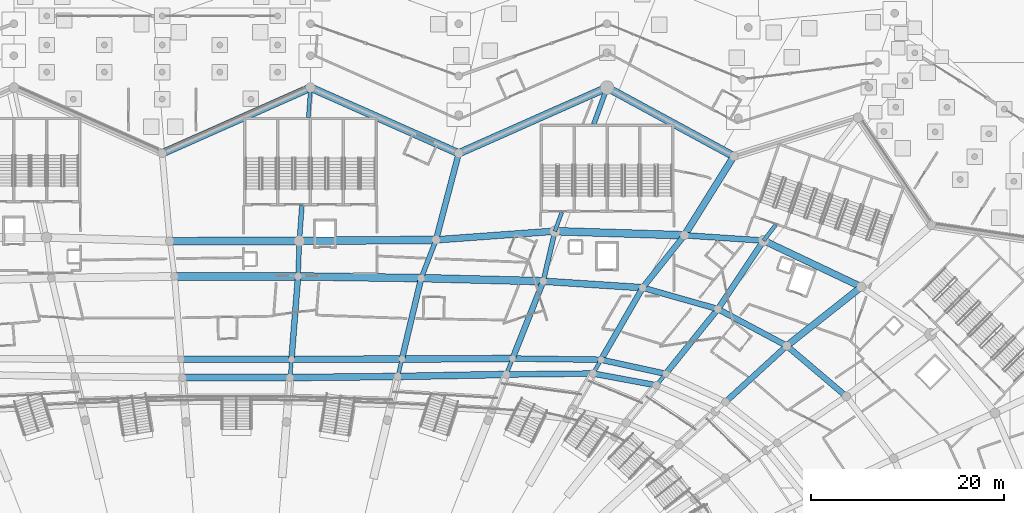
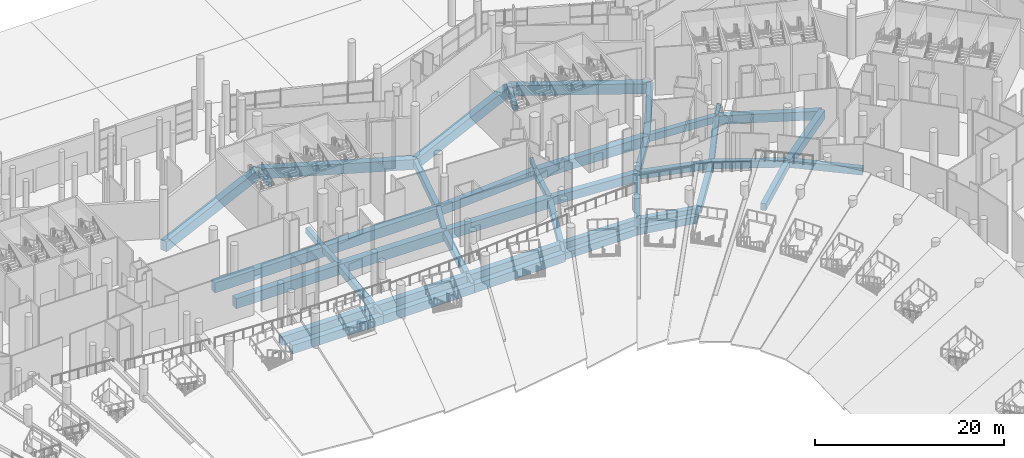
# One storey, part 61 of 255: 51 beams.
"""IFC4 building model written with IfcOpenShell, lengths in metres."""

from ifc_helpers import new_model, si_unit, direction, frame, origin, origin_2d, place, context, subcontext, project, spatial, rectangle, extrude, material, material_profile, profile_set, type_object, element, save


model = new_model("IFC4")

# Units and contexts
model_context = context("Model", 3, precision=1e-05, world=origin(), true_north=direction((0.0, 1.0)))
body_context = subcontext(model_context, "Body", "Model", "MODEL_VIEW")
ifc_project = project(units=[si_unit("LENGTHUNIT", "METRE"), si_unit("AREAUNIT", "SQUARE_METRE"), si_unit("VOLUMEUNIT", "CUBIC_METRE"), si_unit("PLANEANGLEUNIT", "RADIAN"), si_unit("MASSUNIT", "GRAM", prefix="KILO")], contexts=[model_context])

# Site, building, storey
site_placement = place(None, origin())
site = spatial("IfcSite", under=ifc_project, at=site_placement, CompositionType="ELEMENT")
building_placement = place(site_placement, origin())
building = spatial("IfcBuilding", under=site, at=building_placement, Name="Meseta Stadium", CompositionType="ELEMENT")
storey_placement = place(building_placement, origin())
storey = spatial("IfcBuildingStorey", under=building, at=storey_placement, Name="L00", CompositionType="ELEMENT", Elevation=0.0)

# Beams
ifc_material_1 = material(Name="Concrete C40/50", Category="concrete")
ifc_material_profile_1 = material_profile(ifc_material_1, rectangle(XDim=0.39990234375, YDim=0.60009765625, at=origin_2d()), Name="RC 400x600")
ifc_profile_set_1 = profile_set([ifc_material_profile_1], Name="Concrete C40/50")
beam_type_1 = type_object("IfcBeamType", Name="RC beam 400x600", PredefinedType="BEAM", material=ifc_profile_set_1)
beam_1_placement = place(storey_placement, frame((43.430419921875, 74.617431640625, -0.699951171875), z_axis=(0.628002290607, 0.778211489887, 0.0), x_axis=(-0.778211489887, 0.628002290607, 0.0)))
element("IfcBeam", 1, at=beam_1_placement, inside=storey, type_object=beam_type_1, Name="L00 radial beam frame 14 line C to D", PredefinedType="BEAM", context=body_context, shape_type="SweptSolid", body=[
    extrude(rectangle(XDim=0.39990234375, YDim=0.60009765625, at=origin_2d()), origin(), (0.0, 0.0, 1.0), 1.52783203125),
])
beam_2_placement = place(storey_placement, frame((54.523193359375, 89.579345703125, -0.699951171875), z_axis=(0.60958282029, 0.792722388486, 0.0), x_axis=(-0.792722388486, 0.60958282029, 0.0)))
element("IfcBeam", 2, at=beam_2_placement, inside=storey, type_object=beam_type_1, Name="L00 radial beam frame 14 line P to R", PredefinedType="BEAM", context=body_context, shape_type="SweptSolid", body=[
    extrude(rectangle(XDim=0.39990234375, YDim=0.60009765625, at=origin_2d()), origin(), (0.0, 0.0, 1.0), 2.029052734375),
])
beam_3_placement = place(storey_placement, frame((36.885986328125, 75.8330078125, -0.699951171875), z_axis=(0.500371262739, 0.865810949009, 0.0), x_axis=(-0.865810949009, 0.500371262739, 0.0)))
element("IfcBeam", 3, at=beam_3_placement, inside=storey, type_object=beam_type_1, Name="L00 radial beam frame 15 line C to D", PredefinedType="BEAM", context=body_context, shape_type="SweptSolid", body=[
    extrude(rectangle(XDim=0.39990234375, YDim=0.60009765625, at=origin_2d()), origin(), (0.0, 0.0, 1.0), 1.650146484375),
])
beam_4_placement = place(storey_placement, frame((27.910888671875, 75.735595703125, -0.699951171875), z_axis=(0.368824744702, 0.929498955188, 0.0), x_axis=(-0.929498955188, 0.368824744702, 0.0)))
element("IfcBeam", 4, at=beam_4_placement, inside=storey, type_object=beam_type_1, Name="L00 radial beam frame 16 line C to D", PredefinedType="BEAM", context=body_context, shape_type="SweptSolid", body=[
    extrude(rectangle(XDim=0.39990234375, YDim=0.60009765625, at=origin_2d()), origin(), (0.0, 0.0, 1.0), 1.772705078125),
])
beam_5_placement = place(storey_placement, frame((32.944091796875, 90.551025390625, -0.699951171875), z_axis=(0.341128443291, 0.940016694095, 0.0), x_axis=(-0.940016694095, 0.341128443291, 0.0)))
element("IfcBeam", 5, at=beam_5_placement, inside=storey, type_object=beam_type_1, Name="L00 radial beam frame 16 line P to R", PredefinedType="BEAM", context=body_context, shape_type="SweptSolid", body=[
    extrude(rectangle(XDim=0.39990234375, YDim=0.60009765625, at=origin_2d()), origin(), (0.0, 0.0, 1.0), 2.0732421875),
])
beam_6_placement = place(storey_placement, frame((16.697509765625, 75.529296875, -0.699951171875), z_axis=(0.231608653228, 0.97280904177, 0.0), x_axis=(-0.97280904177, 0.231608653228, 0.0)))
element("IfcBeam", 6, at=beam_6_placement, inside=storey, type_object=beam_type_1, Name="L00 radial beam frame 17 line C to D", PredefinedType="BEAM", context=body_context, shape_type="SweptSolid", body=[
    extrude(rectangle(XDim=0.39990234375, YDim=0.60009765625, at=origin_2d()), origin(), (0.0, 0.0, 1.0), 1.85302734375),
])
beam_7_placement = place(storey_placement, frame((5.556640625, 75.414794921875, -0.699951171875), z_axis=(0.079110203973, 0.996865876448, 0.0), x_axis=(-0.996865876448, 0.079110203973, 0.0)))
element("IfcBeam", 7, at=beam_7_placement, inside=storey, type_object=beam_type_1, Name="L00 radial beam frame 18 line C to D", PredefinedType="BEAM", context=body_context, shape_type="SweptSolid", body=[
    extrude(rectangle(XDim=0.39990234375, YDim=0.60009765625, at=origin_2d()), origin(), (0.0, 0.0, 1.0), 1.894775390625),
])
beam_8_placement = place(storey_placement, frame((7.44189453125, 102.300048828125, -0.699951171875), z_axis=(0.072346739974, 0.997379541205, 0.0), x_axis=(-0.997379541205, 0.072346739974, 0.0)))
element("IfcBeam", 8, at=beam_8_placement, inside=storey, type_object=beam_type_1, Name="L00 radial beam frame 18 line P to R", PredefinedType="BEAM", context=body_context, shape_type="SweptSolid", body=[
    extrude(rectangle(XDim=0.39990234375, YDim=0.60009765625, at=origin_2d()), origin(), (0.0, 0.0, 1.0), 3.10791015625),
])
ifc_material_2 = material(Name="Concrete C40/50", Category="concrete")
ifc_material_profile_2 = material_profile(ifc_material_2, rectangle(XDim=0.5, YDim=0.75, at=origin_2d()), Name="RC 500x750")
ifc_profile_set_2 = profile_set([ifc_material_profile_2], Name="Concrete C40/50")
beam_type_2 = type_object("IfcBeamType", Name="RC beam 500x750", PredefinedType="BEAM", material=ifc_profile_set_2)
beam_9_placement = place(storey_placement, frame((31.73681640625, 85.376708984375, -0.77490234375), z_axis=(0.22721799518, 0.973843921101, 0.0), x_axis=(-0.973843921101, 0.22721799518, 0.0)))
element("IfcBeam", 9, at=beam_9_placement, inside=storey, type_object=beam_type_2, Name="L00 radial beam frame 16 line E to P", PredefinedType="BEAM", context=body_context, shape_type="SweptSolid", body=[
    extrude(rectangle(XDim=0.5, YDim=0.75, at=origin_2d()), origin(), (0.0, 0.0, 1.0), 5.313232421875),
])
beam_10_placement = place(storey_placement, frame((36.9541015625, 101.60009765625, -0.77490234375), z_axis=(0.341175633366, 0.939999567658, 0.0), x_axis=(-0.939999567658, 0.341175633366, 0.0)))
element("IfcBeam", 10, at=beam_10_placement, inside=storey, type_object=beam_type_2, Name="L00 radial beam frame 16 line P to R", PredefinedType="BEAM", context=body_context, shape_type="SweptSolid", body=[
    extrude(rectangle(XDim=0.5, YDim=0.75, at=origin_2d()), origin(), (0.0, 0.0, 1.0), 4.042236328125),
])
beam_11_placement = place(storey_placement, frame((19.11865234375, 85.6982421875, -0.77490234375), z_axis=(0.360763299369, 0.932657408606, 0.0), x_axis=(-0.932657408606, 0.360763299369, 0.0)))
element("IfcBeam", 11, at=beam_11_placement, inside=storey, type_object=beam_type_2, Name="L00 radial beam frame 17 line E to P", PredefinedType="BEAM", context=body_context, shape_type="SweptSolid", body=[
    extrude(rectangle(XDim=0.5, YDim=0.75, at=origin_2d()), origin(), (0.0, 0.0, 1.0), 4.243896484375),
])
beam_12_placement = place(storey_placement, frame((6.386962890625, 85.876708984375, -0.77490234375), z_axis=(0.035437776234, 0.999371884743, 0.0), x_axis=(-0.999371884743, 0.035437776234, 0.0)))
element("IfcBeam", 12, at=beam_12_placement, inside=storey, type_object=beam_type_2, Name="L00 radial beam frame 18 line E to P", PredefinedType="BEAM", context=body_context, shape_type="SweptSolid", body=[
    extrude(rectangle(XDim=0.5, YDim=0.75, at=origin_2d()), origin(), (0.0, 0.0, 1.0), 3.671875),
])
beam_13_placement = place(storey_placement, frame((6.51708984375, 89.54638671875, -0.77490234375), z_axis=(0.072312695021, 0.997382010134, 0.0), x_axis=(-0.997382010134, 0.072312695021, 0.0)))
element("IfcBeam", 13, at=beam_13_placement, inside=storey, type_object=beam_type_2, Name="L00 radial beam frame 18 line P to R", PredefinedType="BEAM", context=body_context, shape_type="SweptSolid", body=[
    extrude(rectangle(XDim=0.5, YDim=0.75, at=origin_2d()), origin(), (0.0, 0.0, 1.0), 3.6630859375),
])
ifc_material_3 = material(Name="Concrete C40/50", Category="concrete")
ifc_material_profile_3 = material_profile(ifc_material_3, rectangle(XDim=0.60009765625, YDim=0.89990234375, at=origin_2d()), Name="RC 600x900")
ifc_profile_set_3 = profile_set([ifc_material_profile_3], Name="Concrete C40/50")
beam_type_3 = type_object("IfcBeamType", Name="RC beam 600x900", PredefinedType="BEAM", material=ifc_profile_set_3)
beam_14_placement = place(storey_placement, frame((63.068115234375, 73.469970703125, -0.85009765625), z_axis=(-0.762201166724, 0.647340236231, 0.0), x_axis=(-0.647340236231, -0.762201166724, 0.0)))
element("IfcBeam", 14, at=beam_14_placement, inside=storey, type_object=beam_type_3, Name="L00 ring beam frame 12 line E", PredefinedType="BEAM", context=body_context, shape_type="SweptSolid", body=[
    extrude(rectangle(XDim=0.60009765625, YDim=0.89990234375, at=origin_2d()), origin(), (0.0, 0.0, 1.0), 8.07275390625),
])
beam_15_placement = place(storey_placement, frame((56.9150390625, 78.69580078125, -0.85009765625), z_axis=(-0.882172948557, 0.47092556613, 0.0), x_axis=(-0.47092556613, -0.882172948557, 0.0)))
element("IfcBeam", 15, at=beam_15_placement, inside=storey, type_object=beam_type_3, Name="L00 ring beam frame 13 line E", PredefinedType="BEAM", context=body_context, shape_type="SweptSolid", body=[
    extrude(rectangle(XDim=0.60009765625, YDim=0.89990234375, at=origin_2d()), origin(), (0.0, 0.0, 1.0), 8.075439453125),
])
beam_16_placement = place(storey_placement, frame((43.430419921875, 74.617431640625, -0.85009765625), z_axis=(-0.983183844392, 0.182618531718, 0.0), x_axis=(-0.182618531718, -0.983183844392, 0.0)))
element("IfcBeam", 16, at=beam_16_placement, inside=storey, type_object=beam_type_3, Name="L00 ring beam frame 14 line C", PredefinedType="BEAM", context=body_context, shape_type="SweptSolid", body=[
    extrude(rectangle(XDim=0.60009765625, YDim=0.89990234375, at=origin_2d()), origin(), (0.0, 0.0, 1.0), 6.65625),
])
beam_17_placement = place(storey_placement, frame((44.389892578125, 75.806396484375, -0.85009765625), z_axis=(-0.977068887475, 0.212923434899, 0.0), x_axis=(-0.212923434899, -0.977068887475, 0.0)))
element("IfcBeam", 17, at=beam_17_placement, inside=storey, type_object=beam_type_3, Name="L00 ring beam frame 14 line D", PredefinedType="BEAM", context=body_context, shape_type="SweptSolid", body=[
    extrude(rectangle(XDim=0.60009765625, YDim=0.89990234375, at=origin_2d()), origin(), (0.0, 0.0, 1.0), 6.8349609375),
])
beam_18_placement = place(storey_placement, frame((49.791015625, 82.498779296875, -0.85009765625), z_axis=(-0.961951325549, 0.273220876351, 0.0), x_axis=(-0.273220876351, -0.961951325549, 0.0)))
element("IfcBeam", 18, at=beam_18_placement, inside=storey, type_object=beam_type_3, Name="L00 ring beam frame 14 line E", PredefinedType="BEAM", context=body_context, shape_type="SweptSolid", body=[
    extrude(rectangle(XDim=0.60009765625, YDim=0.89990234375, at=origin_2d()), origin(), (0.0, 0.0, 1.0), 8.083251953125),
])
beam_19_placement = place(storey_placement, frame((54.523193359375, 89.579345703125, -0.85009765625), z_axis=(-0.997778045289, 0.066625613231, 0.0), x_axis=(-0.066625613231, -0.997778045289, 0.0)))
element("IfcBeam", 19, at=beam_19_placement, inside=storey, type_object=beam_type_3, Name="L00 ring beam frame 14 line P", PredefinedType="BEAM", context=body_context, shape_type="SweptSolid", body=[
    extrude(rectangle(XDim=0.60009765625, YDim=0.89990234375, at=origin_2d()), origin(), (0.0, 0.0, 1.0), 8.208251953125),
])
beam_20_placement = place(storey_placement, frame((36.885986328125, 75.8330078125, -0.85009765625), z_axis=(-0.9999411049, -0.010852959601, 0.0), x_axis=(0.010852959601, -0.9999411049, 0.0)))
element("IfcBeam", 20, at=beam_20_placement, inside=storey, type_object=beam_type_3, Name="L00 ring beam frame 15 line C", PredefinedType="BEAM", context=body_context, shape_type="SweptSolid", body=[
    extrude(rectangle(XDim=0.60009765625, YDim=0.89990234375, at=origin_2d()), origin(), (0.0, 0.0, 1.0), 8.9755859375),
])
beam_21_placement = place(storey_placement, frame((37.711669921875, 77.26171875, -0.85009765625), z_axis=(-0.999911672388, 0.013290877405, 0.0), x_axis=(-0.013290877405, -0.999911672388, 0.0)))
element("IfcBeam", 21, at=beam_21_placement, inside=storey, type_object=beam_type_3, Name="L00 ring beam frame 15 line D", PredefinedType="BEAM", context=body_context, shape_type="SweptSolid", body=[
    extrude(rectangle(XDim=0.60009765625, YDim=0.89990234375, at=origin_2d()), origin(), (0.0, 0.0, 1.0), 9.147705078125),
])
for number, where, z_axis, x_axis, name in (
    (22, (50.571533203125, 72.888916015625, -0.85009765625), (0.737617073742, 0.675219262554, 0.0), (-0.675219262554, 0.737617073742, 0.0), "L00 radial beam frame 13 line D to E"),
    (23, (44.389892578125, 75.806396484375, -0.85009765625), (0.628037063111, 0.778183427836, 0.0), (-0.778183427836, 0.628037063111, 0.0), "L00 radial beam frame 14 line D to E"),
):
    element("IfcBeam", number, at=place(storey_placement, frame(where, z_axis=z_axis, x_axis=x_axis)), inside=storey, type_object=beam_type_3, Name=name, PredefinedType="BEAM", context=body_context, shape_type="SweptSolid", body=[
        extrude(rectangle(XDim=0.60009765625, YDim=0.89990234375, at=origin_2d()), origin(), (0.0, 0.0, 1.0), 8.60009765625),
    ])
beam_22_placement = place(storey_placement, frame((49.791015625, 82.498779296875, -0.85009765625), z_axis=(0.555659080942, 0.831410239152, 0.0), x_axis=(-0.831410239152, 0.555659080942, 0.0)))
element("IfcBeam", 24, at=beam_22_placement, inside=storey, type_object=beam_type_3, Name="L00 radial beam frame 14 line E to P", PredefinedType="BEAM", context=body_context, shape_type="SweptSolid", body=[
    extrude(rectangle(XDim=0.60009765625, YDim=0.89990234375, at=origin_2d()), origin(), (0.0, 0.0, 1.0), 8.516357421875),
])
beam_23_placement = place(storey_placement, frame((37.711669921875, 77.26171875, -0.85009765625), z_axis=(0.500437453612, 0.865772692467, 0.0), x_axis=(-0.865772692467, 0.500437453612, 0.0)))
element("IfcBeam", 25, at=beam_23_placement, inside=storey, type_object=beam_type_3, Name="L00 radial beam frame 15 line D to E", PredefinedType="BEAM", context=body_context, shape_type="SweptSolid", body=[
    extrude(rectangle(XDim=0.60009765625, YDim=0.89990234375, at=origin_2d()), origin(), (0.0, 0.0, 1.0), 8.599853515625),
])
beam_24_placement = place(storey_placement, frame((42.015380859375, 84.707275390625, -0.85009765625), z_axis=(0.623172725644, 0.782084237159, 0.0), x_axis=(-0.782084237159, 0.623172725644, 0.0)))
element("IfcBeam", 26, at=beam_24_placement, inside=storey, type_object=beam_type_3, Name="L00 radial beam frame 15 line E to P", PredefinedType="BEAM", context=body_context, shape_type="SweptSolid", body=[
    extrude(rectangle(XDim=0.60009765625, YDim=0.89990234375, at=origin_2d()), origin(), (0.0, 0.0, 1.0), 6.928955078125),
])
beam_25_placement = place(storey_placement, frame((28.564697265625, 77.38330078125, -0.85009765625), z_axis=(0.36885875695, 0.929485458424, 0.0), x_axis=(-0.929485458424, 0.36885875695, 0.0)))
element("IfcBeam", 27, at=beam_25_placement, inside=storey, type_object=beam_type_3, Name="L00 radial beam frame 16 line D to E", PredefinedType="BEAM", context=body_context, shape_type="SweptSolid", body=[
    extrude(rectangle(XDim=0.60009765625, YDim=0.89990234375, at=origin_2d()), origin(), (0.0, 0.0, 1.0), 8.599853515625),
])
beam_26_placement = place(storey_placement, frame((17.126708984375, 77.33203125, -0.85009765625), z_axis=(0.23161924801, 0.972806519279, 0.0), x_axis=(-0.972806519279, 0.23161924801, 0.0)))
element("IfcBeam", 28, at=beam_26_placement, inside=storey, type_object=beam_type_3, Name="L00 radial beam frame 17 line D to E", PredefinedType="BEAM", context=body_context, shape_type="SweptSolid", body=[
    extrude(rectangle(XDim=0.60009765625, YDim=0.89990234375, at=origin_2d()), origin(), (0.0, 0.0, 1.0), 8.60009765625),
])
beam_27_placement = place(storey_placement, frame((20.649658203125, 89.65625, -0.85009765625), z_axis=(0.254159308712, 0.967162367855, 0.0), x_axis=(-0.967162367855, 0.254159308712, 0.0)))
element("IfcBeam", 29, at=beam_27_placement, inside=storey, type_object=beam_type_3, Name="L00 radial beam frame 17 line P to R", PredefinedType="BEAM", context=body_context, shape_type="SweptSolid", body=[
    extrude(rectangle(XDim=0.60009765625, YDim=0.89990234375, at=origin_2d()), origin(), (0.0, 0.0, 1.0), 9.24755859375),
])
beam_28_placement = place(storey_placement, frame((5.70654296875, 77.3037109375, -0.85009765625), z_axis=(0.079118987749, 0.996865179338, 0.0), x_axis=(-0.996865179338, 0.079118987749, 0.0)))
element("IfcBeam", 30, at=beam_28_placement, inside=storey, type_object=beam_type_3, Name="L00 radial beam frame 18 line D to E", PredefinedType="BEAM", context=body_context, shape_type="SweptSolid", body=[
    extrude(rectangle(XDim=0.60009765625, YDim=0.89990234375, at=origin_2d()), origin(), (0.0, 0.0, 1.0), 8.599853515625),
])
ifc_material_4 = material(Name="Concrete C40/50", Category="concrete")
ifc_material_profile_4 = material_profile(ifc_material_4, rectangle(XDim=0.699951171875, YDim=1.10009765625, at=origin_2d()), Name="RC 700x1100")
ifc_profile_set_4 = profile_set([ifc_material_profile_4], Name="Concrete C40/50")
beam_type_4 = type_object("IfcBeamType", Name="RC beam 700x1100", PredefinedType="BEAM", material=ifc_profile_set_4)
beam_29_placement = place(storey_placement, frame((64.6220703125, 84.79248046875, -0.949951171875), z_axis=(-0.903627495473, 0.428319214402, 0.0), x_axis=(-0.428319214402, -0.903627495473, 0.0)))
element("IfcBeam", 31, at=beam_29_placement, inside=storey, type_object=beam_type_4, Name="L00 ring beam frame 13 line P", PredefinedType="BEAM", context=body_context, shape_type="SweptSolid", body=[
    extrude(rectangle(XDim=0.699951171875, YDim=1.10009765625, at=origin_2d()), origin(), (0.0, 0.0, 1.0), 11.176025390625),
])
beam_30_placement = place(storey_placement, frame((42.015380859375, 84.707275390625, -0.949951171875), z_axis=(-0.997885824096, 0.064991399959, 0.0), x_axis=(-0.064991399959, -0.997885824096, 0.0)))
element("IfcBeam", 32, at=beam_30_placement, inside=storey, type_object=beam_type_4, Name="L00 ring beam frame 15 line E", PredefinedType="BEAM", context=body_context, shape_type="SweptSolid", body=[
    extrude(rectangle(XDim=0.699951171875, YDim=1.10009765625, at=origin_2d()), origin(), (0.0, 0.0, 1.0), 10.30029296875),
])
beam_31_placement = place(storey_placement, frame((27.910888671875, 75.735595703125, -0.949951171875), z_axis=(-0.999830807814, -0.018394448783, 0.0), x_axis=(0.018394448783, -0.999830807814, 0.0)))
element("IfcBeam", 33, at=beam_31_placement, inside=storey, type_object=beam_type_4, Name="L00 ring beam frame 16 line C", PredefinedType="BEAM", context=body_context, shape_type="SweptSolid", body=[
    extrude(rectangle(XDim=0.699951171875, YDim=1.10009765625, at=origin_2d()), origin(), (0.0, 0.0, 1.0), 11.21533203125),
])
beam_32_placement = place(storey_placement, frame((28.564697265625, 77.38330078125, -0.949951171875), z_axis=(-0.999989954239, -0.004482345579, 0.0), x_axis=(0.004482345579, -0.999989954239, 0.0)))
element("IfcBeam", 34, at=beam_32_placement, inside=storey, type_object=beam_type_4, Name="L00 ring beam frame 16 line D", PredefinedType="BEAM", context=body_context, shape_type="SweptSolid", body=[
    extrude(rectangle(XDim=0.699951171875, YDim=1.10009765625, at=origin_2d()), origin(), (0.0, 0.0, 1.0), 11.43798828125),
])
beam_33_placement = place(storey_placement, frame((32.944091796875, 90.551025390625, -0.949951171875), z_axis=(-0.99736209032, -0.072586918881, 0.0), x_axis=(0.072586918881, -0.99736209032, 0.0)))
element("IfcBeam", 35, at=beam_33_placement, inside=storey, type_object=beam_type_4, Name="L00 ring beam frame 16 line P", PredefinedType="BEAM", context=body_context, shape_type="SweptSolid", body=[
    extrude(rectangle(XDim=0.699951171875, YDim=1.10009765625, at=origin_2d()), origin(), (0.0, 0.0, 1.0), 12.326904296875),
])
beam_34_placement = place(storey_placement, frame((16.697509765625, 75.529296875, -0.949951171875), z_axis=(-0.99994718914, -0.010277107175, 0.0), x_axis=(0.010277107175, -0.99994718914, 0.0)))
element("IfcBeam", 36, at=beam_34_placement, inside=storey, type_object=beam_type_4, Name="L00 ring beam frame 17 line C", PredefinedType="BEAM", context=body_context, shape_type="SweptSolid", body=[
    extrude(rectangle(XDim=0.699951171875, YDim=1.10009765625, at=origin_2d()), origin(), (0.0, 0.0, 1.0), 11.141357421875),
])
beam_35_placement = place(storey_placement, frame((17.126708984375, 77.33203125, -0.949951171875), z_axis=(-0.999996925183, -0.002479843584, 0.0), x_axis=(0.002479843584, -0.999996925183, 0.0)))
element("IfcBeam", 37, at=beam_35_placement, inside=storey, type_object=beam_type_4, Name="L00 ring beam frame 17 line D", PredefinedType="BEAM", context=body_context, shape_type="SweptSolid", body=[
    extrude(rectangle(XDim=0.699951171875, YDim=1.10009765625, at=origin_2d()), origin(), (0.0, 0.0, 1.0), 11.420166015625),
])
beam_36_placement = place(storey_placement, frame((5.556640625, 75.414794921875, -0.949951171875), z_axis=(-1.0, 0.0, 0.0), x_axis=(0.0, -1.0, 0.0)))
element("IfcBeam", 38, at=beam_36_placement, inside=storey, type_object=beam_type_4, Name="L00 ring beam frame 18 line C", PredefinedType="BEAM", context=body_context, shape_type="SweptSolid", body=[
    extrude(rectangle(XDim=0.699951171875, YDim=1.10009765625, at=origin_2d()), origin(), (0.0, 0.0, 1.0), 11.11328125),
])
beam_37_placement = place(storey_placement, frame((5.70654296875, 77.3037109375, -0.949951171875), z_axis=(-1.0, 0.0, 0.0), x_axis=(0.0, -1.0, 0.0)))
element("IfcBeam", 39, at=beam_37_placement, inside=storey, type_object=beam_type_4, Name="L00 ring beam frame 18 line D", PredefinedType="BEAM", context=body_context, shape_type="SweptSolid", body=[
    extrude(rectangle(XDim=0.699951171875, YDim=1.10009765625, at=origin_2d()), origin(), (0.0, 0.0, 1.0), 11.4130859375),
])
beam_38_placement = place(storey_placement, frame((56.9150390625, 78.69580078125, -0.949951171875), z_axis=(0.784279521113, 0.620407634352, 0.0), x_axis=(-0.620407634352, 0.784279521113, 0.0)))
element("IfcBeam", 40, at=beam_38_placement, inside=storey, type_object=beam_type_4, Name="L00 radial beam frame 13 line E to P", PredefinedType="BEAM", context=body_context, shape_type="SweptSolid", body=[
    extrude(rectangle(XDim=0.699951171875, YDim=1.10009765625, at=origin_2d()), origin(), (0.0, 0.0, 1.0), 9.826904296875),
])
beam_39_placement = place(storey_placement, frame((46.333251953125, 90.126220703125, -0.949951171875), z_axis=(0.530224433937, 0.847857328597, 0.0), x_axis=(-0.847857328597, 0.530224433937, 0.0)))
element("IfcBeam", 41, at=beam_39_placement, inside=storey, type_object=beam_type_4, Name="L00 radial beam frame 15 line P to R", PredefinedType="BEAM", context=body_context, shape_type="SweptSolid", body=[
    extrude(rectangle(XDim=0.699951171875, YDim=1.10009765625, at=origin_2d()), origin(), (0.0, 0.0, 1.0), 9.634033203125),
])
ifc_material_5 = material(Name="Concrete C40/50", Category="concrete")
ifc_material_profile_5 = material_profile(ifc_material_5, rectangle(XDim=0.800048828125, YDim=1.300048828125, at=origin_2d()), Name="RC 800x1300")
ifc_profile_set_5 = profile_set([ifc_material_profile_5], Name="Concrete C40/50")
beam_type_5 = type_object("IfcBeamType", Name="RC beam 800x1300", PredefinedType="BEAM", material=ifc_profile_set_5)
beam_40_placement = place(storey_placement, frame((46.333251953125, 90.126220703125, -1.050048828125), z_axis=(-0.999497062289, 0.031711551154, 0.0), x_axis=(-0.031711551154, -0.999497062289, 0.0)))
element("IfcBeam", 42, at=beam_40_placement, inside=storey, type_object=beam_type_5, Name="L00 ring beam frame 15 line P", PredefinedType="BEAM", context=body_context, shape_type="SweptSolid", body=[
    extrude(rectangle(XDim=0.800048828125, YDim=1.300048828125, at=origin_2d()), origin(), (0.0, 0.0, 1.0), 13.39599609375),
])
beam_41_placement = place(storey_placement, frame((51.44140625, 98.29443359375, -1.050048828125), z_axis=(-0.879145348638, 0.476553728311, 0.0), x_axis=(-0.476553728311, -0.879145348638, 0.0)))
element("IfcBeam", 43, at=beam_41_placement, inside=storey, type_object=beam_type_5, Name="L00 ring beam frame 15 line R", PredefinedType="BEAM", context=body_context, shape_type="SweptSolid", body=[
    extrude(rectangle(XDim=0.800048828125, YDim=1.300048828125, at=origin_2d()), origin(), (0.0, 0.0, 1.0), 14.91015625),
])
beam_42_placement = place(storey_placement, frame((31.73681640625, 85.376708984375, -1.050048828125), z_axis=(-0.999675497622, 0.02547350496, 0.0), x_axis=(-0.02547350496, -0.999675497622, 0.0)))
element("IfcBeam", 44, at=beam_42_placement, inside=storey, type_object=beam_type_5, Name="L00 ring beam frame 16 line E", PredefinedType="BEAM", context=body_context, shape_type="SweptSolid", body=[
    extrude(rectangle(XDim=0.800048828125, YDim=1.300048828125, at=origin_2d()), origin(), (0.0, 0.0, 1.0), 12.622314453125),
])
beam_43_placement = place(storey_placement, frame((38.333251953125, 105.39990234375, -1.050048828125), z_axis=(-0.914142564088, -0.405392861953, 0.0), x_axis=(0.405392861953, -0.914142564088, 0.0)))
element("IfcBeam", 45, at=beam_43_placement, inside=storey, type_object=beam_type_5, Name="L00 ring beam frame 16 line R", PredefinedType="BEAM", context=body_context, shape_type="SweptSolid", body=[
    extrude(rectangle(XDim=0.800048828125, YDim=1.300048828125, at=origin_2d()), origin(), (0.0, 0.0, 1.0), 16.7734375),
])
beam_44_placement = place(storey_placement, frame((19.11865234375, 85.6982421875, -1.050048828125), z_axis=(-0.999901768948, 0.014016149746, 0.0), x_axis=(-0.014016149746, -0.999901768948, 0.0)))
element("IfcBeam", 46, at=beam_44_placement, inside=storey, type_object=beam_type_5, Name="L00 ring beam frame 17 line E", PredefinedType="BEAM", context=body_context, shape_type="SweptSolid", body=[
    extrude(rectangle(XDim=0.800048828125, YDim=1.300048828125, at=origin_2d()), origin(), (0.0, 0.0, 1.0), 12.73291015625),
])
beam_45_placement = place(storey_placement, frame((20.649658203125, 89.65625, -1.050048828125), z_axis=(-0.999969785649, -0.007773531251, 0.0), x_axis=(0.007773531251, -0.999969785649, 0.0)))
element("IfcBeam", 47, at=beam_45_placement, inside=storey, type_object=beam_type_5, Name="L00 ring beam frame 17 line P", PredefinedType="BEAM", context=body_context, shape_type="SweptSolid", body=[
    extrude(rectangle(XDim=0.800048828125, YDim=1.300048828125, at=origin_2d()), origin(), (0.0, 0.0, 1.0), 14.133056640625),
])
beam_46_placement = place(storey_placement, frame((23.0, 98.60009765625, -1.050048828125), z_axis=(-0.914142564088, 0.405392861953, 0.0), x_axis=(-0.405392861953, -0.914142564088, 0.0)))
element("IfcBeam", 48, at=beam_46_placement, inside=storey, type_object=beam_type_5, Name="L00 ring beam frame 17 line R", PredefinedType="BEAM", context=body_context, shape_type="SweptSolid", body=[
    extrude(rectangle(XDim=0.800048828125, YDim=1.300048828125, at=origin_2d()), origin(), (0.0, 0.0, 1.0), 16.7734375),
])
beam_47_placement = place(storey_placement, frame((6.386962890625, 85.876708984375, -1.050048828125), z_axis=(-1.0, 0.0, 0.0), x_axis=(0.0, -1.0, 0.0)))
element("IfcBeam", 49, at=beam_47_placement, inside=storey, type_object=beam_type_5, Name="L00 ring beam frame 18 line E", PredefinedType="BEAM", context=body_context, shape_type="SweptSolid", body=[
    extrude(rectangle(XDim=0.800048828125, YDim=1.300048828125, at=origin_2d()), origin(), (0.0, 0.0, 1.0), 12.77392578125),
])
beam_48_placement = place(storey_placement, frame((6.51708984375, 89.54638671875, -1.050048828125), z_axis=(-0.999997723809, -0.002133629982, 0.0), x_axis=(0.002133629982, -0.999997723809, 0.0)))
element("IfcBeam", 50, at=beam_48_placement, inside=storey, type_object=beam_type_5, Name="L00 ring beam frame 18 line P", PredefinedType="BEAM", context=body_context, shape_type="SweptSolid", body=[
    extrude(rectangle(XDim=0.800048828125, YDim=1.300048828125, at=origin_2d()), origin(), (0.0, 0.0, 1.0), 13.3876953125),
])
beam_49_placement = place(storey_placement, frame((7.666748046875, 105.39990234375, -1.050048828125), z_axis=(-0.914144956099, -0.405387468033, 0.0), x_axis=(0.405387468033, -0.914144956099, 0.0)))
element("IfcBeam", 51, at=beam_49_placement, inside=storey, type_object=beam_type_5, Name="L00 ring beam frame 18 line R", PredefinedType="BEAM", context=body_context, shape_type="SweptSolid", body=[
    extrude(rectangle(XDim=0.800048828125, YDim=1.300048828125, at=origin_2d()), origin(), (0.0, 0.0, 1.0), 16.773681640625),
])

save(model, "model.ifc")
